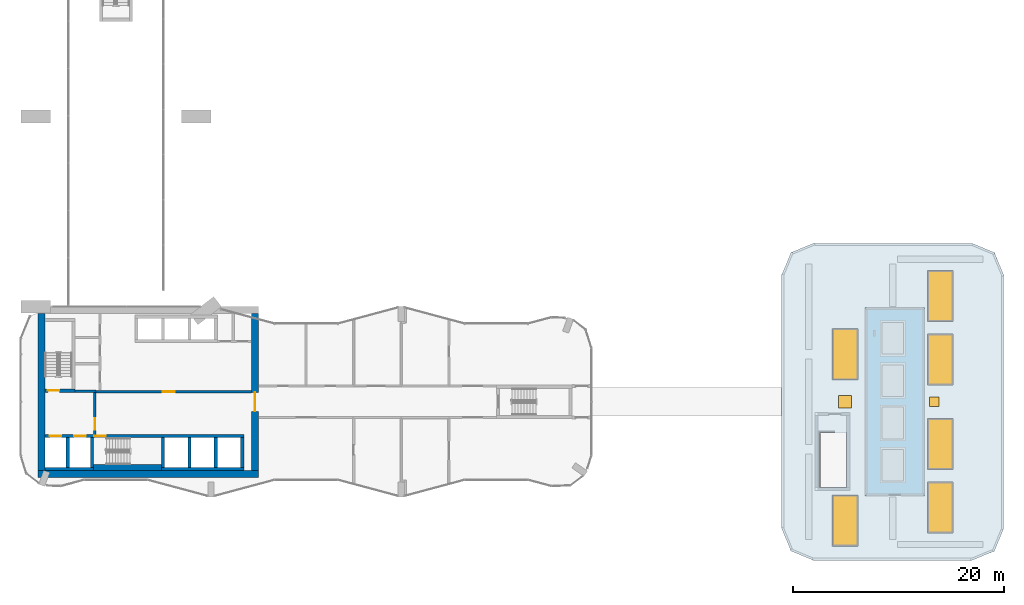
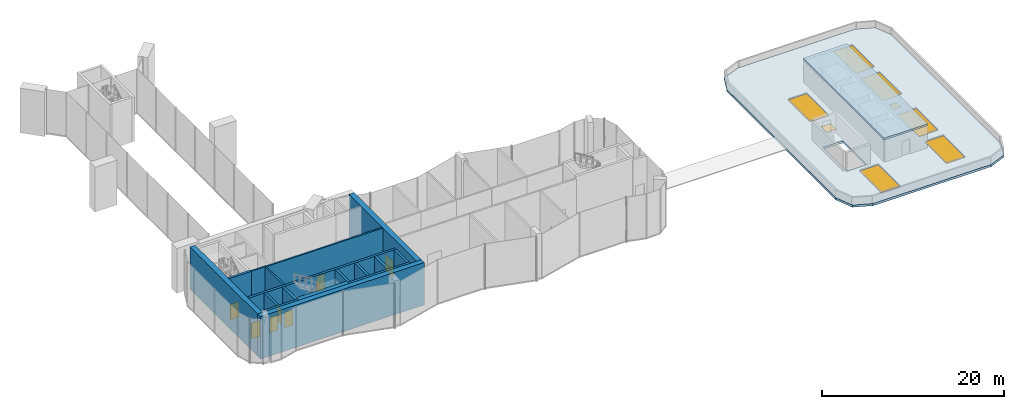
# One storey, part 10 of 19: 17 walls, 9 doors, 6 windows, 2 slabs, 15 openings.
"""IFC4 building model written with IfcOpenShell, lengths in metres."""

from ifc_helpers import new_model, si_unit, direction, frame, frame_2d, origin, origin_2d, place, context, subcontext, project, spatial, polyline, rectangle, outline, extrude, material, layer, layer_set, type_object, element, fill, save


model = new_model("IFC4")

# Units and contexts
model_context = context("Model", 3, precision=1e-05, world=origin(), true_north=direction((0.0, 1.0)))
body_context = subcontext(model_context, "Body", "Model", "MODEL_VIEW")
ifc_project = project(units=[si_unit("LENGTHUNIT", "METRE"), si_unit("AREAUNIT", "SQUARE_METRE"), si_unit("VOLUMEUNIT", "CUBIC_METRE"), si_unit("PLANEANGLEUNIT", "RADIAN"), si_unit("MASSUNIT", "GRAM", prefix="KILO")], contexts=[model_context])

# Site, building, storey
site_placement = place(None, origin())
site = spatial("IfcSite", under=ifc_project, at=site_placement, CompositionType="ELEMENT")
building_placement = place(site_placement, origin())
building = spatial("IfcBuilding", under=site, at=building_placement, Name="Plateau Cross Towers", CompositionType="ELEMENT")
storey_placement = place(building_placement, frame((0.0, 0.0, 128.60009765625)))
storey = spatial("IfcBuildingStorey", under=building, at=storey_placement, Name="L33", CompositionType="ELEMENT", Elevation=128.60009765625)

# Slab
ifc_material_1 = material(Name="Concrete C40/50", Category="concrete")
ifc_layer_1 = layer(ifc_material_1, 0.25)
ifc_layer_set_1 = layer_set([ifc_layer_1], Name="Concrete C40/50")
slab_type_1 = type_object("IfcSlabType", Name="Plant room roof slab 250", PredefinedType="ROOF", material=ifc_layer_set_1)
slab_1_placement = place(storey_placement, frame((0.0, 0.0, 3.099853515625)))
element("IfcSlab", 1, at=slab_1_placement, inside=storey, type_object=slab_type_1, Name="Roof plant room roof", PredefinedType="ROOF", context=body_context, shape_type="SweptSolid", body=[
    extrude(outline(polyline([(79.89990234375, 0.10009765625), (85.5, 0.10009765625), (85.5, 17.89990234375), (79.89990234375, 17.89990234375), (79.89990234375, 0.10009765625)])), origin(), (0.0, 0.0, 1.0), 0.25),
])

# Slab, openings, doors, windows
ifc_layer_2 = layer(ifc_material_1, 0.300048828125)
ifc_layer_set_2 = layer_set([ifc_layer_2], Name="Concrete C40/50")
slab_type_2 = type_object("IfcSlabType", Name="Post-tensioned roof slab 300", PredefinedType="ROOF", material=ifc_layer_set_2)
slab_2_placement = place(storey_placement, frame((0.0, 0.0, -0.300048828125)))
slab_2 = element("IfcSlab", 2, at=slab_2_placement, inside=storey, type_object=slab_type_2, Name="SL-B-L33", PredefinedType="ROOF", context=body_context, shape_type="SweptSolid", body=[
    extrude(outline(polyline([(72.878662109375, -5.121337890625), (72.0, -3.0), (72.0, 21.0), (72.878662109375, 23.121337890625), (75.0, 24.0), (90.0, 24.0), (92.121337890625, 23.121337890625), (93.0, 21.0), (93.0, -3.0), (92.121337890625, -5.121337890625), (90.0, -6.0), (75.0, -6.0), (72.878662109375, -5.121337890625)]), holes=[polyline([(78.14990234375, 0.89990234375), (75.60009765625, 0.89990234375), (75.60009765625, 6.10009765625), (76.949951171875, 6.10009765625), (76.949951171875, 6.090087890625), (78.14990234375, 6.090087890625), (78.14990234375, 0.89990234375)])]), origin(), (0.0, 0.0, 1.0), 0.300048828125),
])
opening_1_placement = place(slab_2_placement, frame((86.419921875, 9.0, 0.0)))
opening_1 = element("IfcOpeningElement", 3, at=opening_1_placement, cuts=slab_2, Name="Opening RH1", PredefinedType="OPENING", context=body_context, shape_type="SweptSolid", body=[
    extrude(rectangle(XDim=0.89990234375, YDim=0.89990234375, at=origin_2d()), origin(), (0.0, 0.0, 1.0), 0.300048828125),
])
opening_2_placement = place(slab_2_placement, frame((77.97998046875, 9.0, 0.0)))
opening_2 = element("IfcOpeningElement", 4, at=opening_2_placement, cuts=slab_2, Name="Opening RH2", PredefinedType="OPENING", context=body_context, shape_type="SweptSolid", body=[
    extrude(rectangle(XDim=1.199951171875, YDim=1.199951171875, at=origin_2d()), origin(), (0.0, 0.0, 1.0), 0.300048828125),
])
opening_3_placement = place(slab_2_placement, frame((87.0, -1.0, 0.0)))
opening_3 = element("IfcOpeningElement", 5, at=opening_3_placement, cuts=slab_2, Name="Opening RL3", PredefinedType="OPENING", context=body_context, shape_type="SweptSolid", body=[
    extrude(rectangle(XDim=2.39990234375, YDim=4.800048828125, at=origin_2d()), origin(), (0.0, 0.0, 1.0), 0.300048828125),
])
opening_4_placement = place(slab_2_placement, frame((78.0, -2.25, 0.0)))
opening_4 = element("IfcOpeningElement", 6, at=opening_4_placement, cuts=slab_2, Name="Opening RL3", PredefinedType="OPENING", context=body_context, shape_type="SweptSolid", body=[
    extrude(rectangle(XDim=2.39990234375, YDim=4.800048828125, at=origin_2d()), origin(), (0.0, 0.0, 1.0), 0.300048828125),
])
opening_5_placement = place(slab_2_placement, frame((87.0, 5.0, 0.0)))
opening_5 = element("IfcOpeningElement", 7, at=opening_5_placement, cuts=slab_2, Name="Opening RL3", PredefinedType="OPENING", context=body_context, shape_type="SweptSolid", body=[
    extrude(rectangle(XDim=2.39990234375, YDim=4.800048828125, at=origin_2d()), origin(), (0.0, 0.0, 1.0), 0.300048828125),
])
opening_6_placement = place(slab_2_placement, frame((87.0, 13.0, 0.0)))
opening_6 = element("IfcOpeningElement", 8, at=opening_6_placement, cuts=slab_2, Name="Opening RL3", PredefinedType="OPENING", context=body_context, shape_type="SweptSolid", body=[
    extrude(rectangle(XDim=2.39990234375, YDim=4.800048828125, at=origin_2d()), origin(), (0.0, 0.0, 1.0), 0.300048828125),
])
opening_7_placement = place(slab_2_placement, frame((78.0, 13.5, 0.0)))
opening_7 = element("IfcOpeningElement", 9, at=opening_7_placement, cuts=slab_2, Name="Opening RL3", PredefinedType="OPENING", context=body_context, shape_type="SweptSolid", body=[
    extrude(rectangle(XDim=2.39990234375, YDim=4.800048828125, at=origin_2d()), origin(), (0.0, 0.0, 1.0), 0.300048828125),
])
opening_8_placement = place(slab_2_placement, frame((87.0, 19.0, 0.0)))
opening_8 = element("IfcOpeningElement", 10, at=opening_8_placement, cuts=slab_2, Name="Opening RL3", PredefinedType="OPENING", context=body_context, shape_type="SweptSolid", body=[
    extrude(rectangle(XDim=2.39990234375, YDim=4.800048828125, at=origin_2d()), origin(), (0.0, 0.0, 1.0), 0.300048828125),
])
ifc_material_2 = material(Name="Insulated aluminium", Category="aluminium")
door_type_1 = type_object("IfcDoorType", Name="Roof access hatch 1200", OperationType="SINGLE_SWING_LEFT", PredefinedType="TRAPDOOR", material=ifc_material_2)
door_1_placement = place(opening_2_placement, frame((0.0, 0.0, 0.25)))
door_1 = element("IfcDoor", 11, at=door_1_placement, inside=storey, type_object=door_type_1, Name="Plant replacement hatch", OperationType="SINGLE_SWING_LEFT", OverallHeight=1.199951171875, OverallWidth=1.199951171875, PredefinedType="TRAPDOOR", context=body_context, shape_type="SweptSolid", body=[
    extrude(rectangle(XDim=1.199951171875, YDim=1.199951171875, at=origin_2d()), origin(), (0.0, 0.0, 1.0), 0.050048828125),
])
fill(opening_2, door_1)
door_type_2 = type_object("IfcDoorType", Name="Roof access hatch 900", OperationType="SINGLE_SWING_LEFT", PredefinedType="TRAPDOOR", material=ifc_material_2)
door_2_placement = place(opening_1_placement, frame((0.0, 0.0, 0.25)))
door_2 = element("IfcDoor", 12, at=door_2_placement, inside=storey, type_object=door_type_2, Name="Roof access hatch", OperationType="SINGLE_SWING_LEFT", OverallHeight=0.89990234375, OverallWidth=0.89990234375, PredefinedType="TRAPDOOR", context=body_context, shape_type="SweptSolid", body=[
    extrude(rectangle(XDim=0.89990234375, YDim=0.89990234375, at=origin_2d()), origin(), (0.0, 0.0, 1.0), 0.050048828125),
])
fill(opening_1, door_2)
ifc_material_3 = material(Name="Aluminium framed glazing", Category="aluminium")
window_type = type_object("IfcWindowType", Name="Rooflight 2400x4800", PartitioningType="SINGLE_PANEL", PredefinedType="SKYLIGHT", material=ifc_material_3)
window_1_placement = place(opening_3_placement, frame((0.0, 0.0, 0.25)))
window_1 = element("IfcWindow", 13, at=window_1_placement, inside=storey, type_object=window_type, Name="Rooflight RL3 1", OverallHeight=4.800048828125, OverallWidth=2.39990234375, PartitioningType="SINGLE_PANEL", PredefinedType="SKYLIGHT", context=body_context, shape_type="SweptSolid", body=[
    extrude(rectangle(XDim=2.39990234375, YDim=4.800048828125, at=origin_2d()), origin(), (0.0, 0.0, 1.0), 0.050048828125),
])
fill(opening_3, window_1)
window_2_placement = place(opening_4_placement, frame((0.0, 0.0, 0.25)))
window_2 = element("IfcWindow", 14, at=window_2_placement, inside=storey, type_object=window_type, Name="Rooflight RL3 2", OverallHeight=4.800048828125, OverallWidth=2.39990234375, PartitioningType="SINGLE_PANEL", PredefinedType="SKYLIGHT", context=body_context, shape_type="SweptSolid", body=[
    extrude(rectangle(XDim=2.39990234375, YDim=4.800048828125, at=origin_2d()), origin(), (0.0, 0.0, 1.0), 0.050048828125),
])
fill(opening_4, window_2)
window_3_placement = place(opening_5_placement, frame((0.0, 0.0, 0.25)))
window_3 = element("IfcWindow", 15, at=window_3_placement, inside=storey, type_object=window_type, Name="Rooflight RL3 3", OverallHeight=4.800048828125, OverallWidth=2.39990234375, PartitioningType="SINGLE_PANEL", PredefinedType="SKYLIGHT", context=body_context, shape_type="SweptSolid", body=[
    extrude(rectangle(XDim=2.39990234375, YDim=4.800048828125, at=origin_2d()), origin(), (0.0, 0.0, 1.0), 0.050048828125),
])
fill(opening_5, window_3)
window_4_placement = place(opening_6_placement, frame((0.0, 0.0, 0.25)))
window_4 = element("IfcWindow", 16, at=window_4_placement, inside=storey, type_object=window_type, Name="Rooflight RL3 4", OverallHeight=4.800048828125, OverallWidth=2.39990234375, PartitioningType="SINGLE_PANEL", PredefinedType="SKYLIGHT", context=body_context, shape_type="SweptSolid", body=[
    extrude(rectangle(XDim=2.39990234375, YDim=4.800048828125, at=origin_2d()), origin(), (0.0, 0.0, 1.0), 0.050048828125),
])
fill(opening_6, window_4)
window_5_placement = place(opening_7_placement, frame((0.0, 0.0, 0.25)))
window_5 = element("IfcWindow", 17, at=window_5_placement, inside=storey, type_object=window_type, Name="Rooflight RL3 5", OverallHeight=4.800048828125, OverallWidth=2.39990234375, PartitioningType="SINGLE_PANEL", PredefinedType="SKYLIGHT", context=body_context, shape_type="SweptSolid", body=[
    extrude(rectangle(XDim=2.39990234375, YDim=4.800048828125, at=origin_2d()), origin(), (0.0, 0.0, 1.0), 0.050048828125),
])
fill(opening_7, window_5)
window_6_placement = place(opening_8_placement, frame((0.0, 0.0, 0.25)))
window_6 = element("IfcWindow", 18, at=window_6_placement, inside=storey, type_object=window_type, Name="Rooflight RL3 6", OverallHeight=4.800048828125, OverallWidth=2.39990234375, PartitioningType="SINGLE_PANEL", PredefinedType="SKYLIGHT", context=body_context, shape_type="SweptSolid", body=[
    extrude(rectangle(XDim=2.39990234375, YDim=4.800048828125, at=origin_2d()), origin(), (0.0, 0.0, 1.0), 0.050048828125),
])
fill(opening_8, window_6)

# Wall, opening, door
ifc_material_4 = material(Name="Concrete block, plastered both sides", Category="concrete")
ifc_layer_3 = layer(ifc_material_4, 0.199951171875)
ifc_layer_set_3 = layer_set([ifc_layer_3], Name="Concrete block, plastered both sides")
wall_type_1 = type_object("IfcWallType", Name="Core partition 200", PredefinedType="PARTITIONING", material=ifc_layer_set_3)
wall_1_placement = place(storey_placement, frame((7.0, 5.89990234375, 0.0), z_axis=(0.0, 0.0, 1.0), x_axis=(0.0, 1.0, 0.0)))
wall_1 = element("IfcWall", 19, at=wall_1_placement, inside=storey, type_object=wall_type_1, Name="Core partition", PredefinedType="PARTITIONING", context=body_context, shape_type="SweptSolid", body=[
    extrude(rectangle(XDim=4.0, YDim=0.199951171875, at=frame_2d((2.0, 0.0))), origin(), (0.0, 0.0, 1.0), 5.699951171875),
])
opening_9_placement = place(wall_1_placement, frame((0.449951171875, 0.0, 0.0)))
opening_9 = element("IfcOpeningElement", 20, at=opening_9_placement, cuts=wall_1, Name="Opening FFD", PredefinedType="OPENING", context=body_context, shape_type="SweptSolid", body=[
    extrude(rectangle(XDim=1.10009765625, YDim=2.10009765625, at=frame_2d((0.550048828125, 1.050048828125))), frame((0.0, 0.10986328125, 0.0), z_axis=(0.0, -1.0, 0.0), x_axis=(1.0, 0.0, 0.0)), (0.0, 0.0, 1.0), 0.219970703125),
])
ifc_material_5 = material(Name="Steel, fire-resisting leaf", Category="steel")
door_type_3 = type_object("IfcDoorType", Name="Firefighting lobby door 1100", OperationType="NOTDEFINED", PredefinedType="DOOR", material=ifc_material_5)
door_3_placement = place(opening_9_placement, origin())
door_3 = element("IfcDoor", 21, at=door_3_placement, inside=storey, type_object=door_type_3, Name="Firefighting lobby door FFD", OperationType="SINGLE_SWING_LEFT", OverallHeight=2.10009765625, OverallWidth=1.10009765625, PredefinedType="DOOR", context=body_context, shape_type="SweptSolid", body=[
    extrude(rectangle(XDim=1.10009765625, YDim=2.10009765625, at=frame_2d((0.550048828125, 1.050048828125))), frame((0.0, 0.02490234375, 0.0), z_axis=(0.0, -1.0, 0.0), x_axis=(1.0, 0.0, 0.0)), (0.0, 0.0, 1.0), 0.050048828125),
])
fill(opening_9, door_3)

# Wall
wall_2_placement = place(storey_placement, frame((5.14990234375, 10.0, 0.0), z_axis=(0.0, 0.0, 1.0), x_axis=(1.0, 0.0, 0.0)))
element("IfcWall", 22, at=wall_2_placement, inside=storey, type_object=wall_type_1, Name="Core partition", PredefinedType="PARTITIONING", context=body_context, shape_type="SweptSolid", body=[
    extrude(rectangle(XDim=1.9501953125, YDim=0.199951171875, at=frame_2d((0.97509765625, 0.0))), origin(), (0.0, 0.0, 1.0), 5.699951171875),
])

# Wall, opening, door
wall_3_placement = place(storey_placement, frame((7.10009765625, 9.949951171875, 0.0), z_axis=(0.0, 0.0, 1.0), x_axis=(1.0, 0.0, 0.0)))
wall_3 = element("IfcWall", 23, at=wall_3_placement, inside=storey, type_object=wall_type_1, Name="Core partition", PredefinedType="PARTITIONING", context=body_context, shape_type="SweptSolid", body=[
    extrude(rectangle(XDim=14.75, YDim=0.199951171875, at=frame_2d((7.375, 0.0))), origin(), (0.0, 0.0, 1.0), 5.699951171875),
])
opening_10_placement = place(wall_3_placement, frame((6.35009765625, 0.0, 0.0)))
opening_10 = element("IfcOpeningElement", 24, at=opening_10_placement, cuts=wall_3, Name="Opening PD", PredefinedType="OPENING", context=body_context, shape_type="SweptSolid", body=[
    extrude(rectangle(XDim=1.10009765625, YDim=2.10009765625, at=frame_2d((0.550048828125, 1.050048828125))), frame((0.0, 0.10986328125, 0.0), z_axis=(0.0, -1.0, 0.0), x_axis=(1.0, 0.0, 0.0)), (0.0, 0.0, 1.0), 0.219970703125),
])
door_type_4 = type_object("IfcDoorType", Name="Plant room door 1100", OperationType="NOTDEFINED", PredefinedType="DOOR", material=ifc_material_5)
door_4_placement = place(opening_10_placement, origin())
door_4 = element("IfcDoor", 25, at=door_4_placement, inside=storey, type_object=door_type_4, Name="Plant room door PD", OperationType="SINGLE_SWING_LEFT", OverallHeight=2.10009765625, OverallWidth=1.10009765625, PredefinedType="DOOR", context=body_context, shape_type="SweptSolid", body=[
    extrude(rectangle(XDim=1.10009765625, YDim=2.10009765625, at=frame_2d((0.550048828125, 1.050048828125))), frame((0.0, 0.02490234375, 0.0), z_axis=(0.0, -1.0, 0.0), x_axis=(1.0, 0.0, 0.0)), (0.0, 0.0, 1.0), 0.050048828125),
])
fill(opening_10, door_4)

# Walls
ifc_material_6 = material(Name="Concrete C60/75", Category="concrete")
ifc_layer_4 = layer(ifc_material_6, 0.300048828125)
ifc_layer_set_4 = layer_set([ifc_layer_4], Name="Concrete C60/75")
wall_type_2 = type_object("IfcWallType", Name="Core shaft wall 300", PredefinedType="SHEAR", material=ifc_layer_set_4)
wall_4_placement = place(storey_placement, frame((2.300048828125, 2.64990234375, 0.0), z_axis=(0.0, 0.0, 1.0), x_axis=(1.0, 0.0, 0.0)))
element("IfcWall", 26, at=wall_4_placement, inside=storey, type_object=wall_type_2, Name="A-sb-back1@L33", PredefinedType="SHEAR", context=body_context, shape_type="SweptSolid", body=[
    extrude(rectangle(XDim=4.599853515625, YDim=0.300048828125, at=frame_2d((2.2998046875, 0.0))), origin(), (0.0, 0.0, 1.0), 5.699951171875),
])
wall_5_placement = place(storey_placement, frame((13.300048828125, 2.64990234375, 0.0), z_axis=(0.0, 0.0, 1.0), x_axis=(1.0, 0.0, 0.0)))
element("IfcWall", 27, at=wall_5_placement, inside=storey, type_object=wall_type_2, Name="A-sb-back3@L33", PredefinedType="SHEAR", context=body_context, shape_type="SweptSolid", body=[
    extrude(rectangle(XDim=7.800048828125, YDim=0.300048828125, at=frame_2d((3.89990234375, 0.0))), origin(), (0.0, 0.0, 1.0), 5.699951171875),
])
for number, where, z_axis, x_axis, name in (
    (28, (4.449951171875, 2.800048828125, 0.0), (0.0, 0.0, 1.0), (0.0, 1.0, 0.0), "A-sb-v1@L33"),
    (29, (6.75, 2.800048828125, 0.0), (0.0, 0.0, 1.0), (0.0, 1.0, 0.0), "A-sb-v2@L33"),
    (30, (13.449951171875, 2.800048828125, 0.0), (0.0, 0.0, 1.0), (0.0, 1.0, 0.0), "A-sb-v3@L33"),
    (31, (15.949951171875, 2.800048828125, 0.0), (0.0, 0.0, 1.0), (0.0, 1.0, 0.0), "A-sb-v4@L33"),
    (32, (18.449951171875, 2.800048828125, 0.0), (0.0, 0.0, 1.0), (0.0, 1.0, 0.0), "A-sb-v5@L33"),
    (33, (20.949951171875, 2.800048828125, 0.0), (0.0, 0.0, 1.0), (0.0, 1.0, 0.0), "A-sb-v6@L33"),
):
    element("IfcWall", number, at=place(storey_placement, frame(where, z_axis=z_axis, x_axis=x_axis)), inside=storey, type_object=wall_type_2, Name=name, PredefinedType="SHEAR", context=body_context, shape_type="SweptSolid", body=[
        extrude(rectangle(XDim=2.800048828125, YDim=0.300048828125, at=frame_2d((1.39990234375, 0.0))), origin(), (0.0, 0.0, 1.0), 5.699951171875),
    ])

# Wall, openings, doors
wall_6_placement = place(storey_placement, frame((2.300048828125, 5.75, 0.0), z_axis=(0.0, 0.0, 1.0), x_axis=(1.0, 0.0, 0.0)))
wall_6 = element("IfcWall", 34, at=wall_6_placement, inside=storey, type_object=wall_type_2, Name="A-sb-front@L33", PredefinedType="SHEAR", context=body_context, shape_type="SweptSolid", body=[
    extrude(rectangle(XDim=18.800048828125, YDim=0.300048828125, at=frame_2d((9.39990234375, 0.0))), origin(), (0.0, 0.0, 1.0), 5.699951171875),
])
opening_11_placement = place(wall_6_placement, frame((4.64990234375, 0.0, 0.0)))
opening_11 = element("IfcOpeningElement", 35, at=opening_11_placement, cuts=wall_6, Name="Opening SD", PredefinedType="OPENING", context=body_context, shape_type="SweptSolid", body=[
    extrude(rectangle(XDim=1.10009765625, YDim=2.10009765625, at=frame_2d((0.550048828125, 1.050048828125))), frame((0.0, 0.159912109375, 0.0), z_axis=(0.0, -1.0, 0.0), x_axis=(1.0, 0.0, 0.0)), (0.0, 0.0, 1.0), 0.320068359375),
])
opening_12_placement = place(wall_6_placement, frame((0.449951171875, 0.0, 0.0)))
opening_12 = element("IfcOpeningElement", 36, at=opening_12_placement, cuts=wall_6, Name="Opening LD", PredefinedType="OPENING", context=body_context, shape_type="SweptSolid", body=[
    extrude(rectangle(XDim=1.10009765625, YDim=2.10009765625, at=frame_2d((0.550048828125, 1.050048828125))), frame((0.0, 0.159912109375, 0.0), z_axis=(0.0, -1.0, 0.0), x_axis=(1.0, 0.0, 0.0)), (0.0, 0.0, 1.0), 0.320068359375),
])
opening_13_placement = place(wall_6_placement, frame((2.75, 0.0, 0.0)))
opening_13 = element("IfcOpeningElement", 37, at=opening_13_placement, cuts=wall_6, Name="Opening LD", PredefinedType="OPENING", context=body_context, shape_type="SweptSolid", body=[
    extrude(rectangle(XDim=1.10009765625, YDim=2.10009765625, at=frame_2d((0.550048828125, 1.050048828125))), frame((0.0, 0.159912109375, 0.0), z_axis=(0.0, -1.0, 0.0), x_axis=(1.0, 0.0, 0.0)), (0.0, 0.0, 1.0), 0.320068359375),
])
ifc_material_7 = material(Name="Stainless steel, fire-resisting sliding leaves", Category="steel")
door_type_5 = type_object("IfcDoorType", Name="Lift landing door 1100", OperationType="NOTDEFINED", PredefinedType="DOOR", material=ifc_material_7)
door_5_placement = place(opening_12_placement, origin())
door_5 = element("IfcDoor", 38, at=door_5_placement, inside=storey, type_object=door_type_5, Name="Lift landing door LD", OperationType="DOUBLE_DOOR_SLIDING", OverallHeight=2.10009765625, OverallWidth=1.10009765625, PredefinedType="DOOR", context=body_context, shape_type="SweptSolid", body=[
    extrude(rectangle(XDim=1.10009765625, YDim=2.10009765625, at=frame_2d((0.550048828125, 1.050048828125))), frame((0.0, 0.02490234375, 0.0), z_axis=(0.0, -1.0, 0.0), x_axis=(1.0, 0.0, 0.0)), (0.0, 0.0, 1.0), 0.050048828125),
])
fill(opening_12, door_5)
door_6_placement = place(opening_13_placement, origin())
door_6 = element("IfcDoor", 39, at=door_6_placement, inside=storey, type_object=door_type_5, Name="Lift landing door LD", OperationType="DOUBLE_DOOR_SLIDING", OverallHeight=2.10009765625, OverallWidth=1.10009765625, PredefinedType="DOOR", context=body_context, shape_type="SweptSolid", body=[
    extrude(rectangle(XDim=1.10009765625, YDim=2.10009765625, at=frame_2d((0.550048828125, 1.050048828125))), frame((0.0, 0.02490234375, 0.0), z_axis=(0.0, -1.0, 0.0), x_axis=(1.0, 0.0, 0.0)), (0.0, 0.0, 1.0), 0.050048828125),
])
fill(opening_13, door_6)
door_type_6 = type_object("IfcDoorType", Name="Stair door 1100", OperationType="NOTDEFINED", PredefinedType="DOOR", material=ifc_material_5)
door_7_placement = place(opening_11_placement, origin())
door_7 = element("IfcDoor", 40, at=door_7_placement, inside=storey, type_object=door_type_6, Name="Stair door SD", OperationType="SINGLE_SWING_LEFT", OverallHeight=2.10009765625, OverallWidth=1.10009765625, PredefinedType="DOOR", context=body_context, shape_type="SweptSolid", body=[
    extrude(rectangle(XDim=1.10009765625, YDim=2.10009765625, at=frame_2d((0.550048828125, 1.050048828125))), frame((0.0, 0.02490234375, 0.0), z_axis=(0.0, -1.0, 0.0), x_axis=(1.0, 0.0, 0.0)), (0.0, 0.0, 1.0), 0.050048828125),
])
fill(opening_11, door_7)

# Wall, opening, door
wall_7_placement = place(storey_placement, frame((2.300048828125, 10.050048828125, 0.0), z_axis=(0.0, 0.0, 1.0), x_axis=(1.0, 0.0, 0.0)))
wall_7 = element("IfcWall", 41, at=wall_7_placement, inside=storey, type_object=wall_type_2, Name="A-st1-S@L33", PredefinedType="SHEAR", context=body_context, shape_type="SweptSolid", body=[
    extrude(rectangle(XDim=2.849853515625, YDim=0.300048828125, at=frame_2d((1.4248046875, 0.0))), origin(), (0.0, 0.0, 1.0), 5.699951171875),
])
opening_14_placement = place(wall_7_placement, frame((0.25, 0.0, 0.0)))
opening_14 = element("IfcOpeningElement", 42, at=opening_14_placement, cuts=wall_7, Name="Opening SD", PredefinedType="OPENING", context=body_context, shape_type="SweptSolid", body=[
    extrude(rectangle(XDim=1.10009765625, YDim=2.10009765625, at=frame_2d((0.550048828125, 1.050048828125))), frame((0.0, 0.159912109375, 0.0), z_axis=(0.0, -1.0, 0.0), x_axis=(1.0, 0.0, 0.0)), (0.0, 0.0, 1.0), 0.320068359375),
])
door_8_placement = place(opening_14_placement, origin())
door_8 = element("IfcDoor", 43, at=door_8_placement, inside=storey, type_object=door_type_6, Name="Stair door SD", OperationType="SINGLE_SWING_RIGHT", OverallHeight=2.10009765625, OverallWidth=1.10009765625, PredefinedType="DOOR", context=body_context, shape_type="SweptSolid", body=[
    extrude(rectangle(XDim=1.10009765625, YDim=2.10009765625, at=frame_2d((0.550048828125, 1.050048828125))), frame((0.0, 0.02490234375, 0.0), z_axis=(0.0, -1.0, 0.0), x_axis=(1.0, 0.0, 0.0)), (0.0, 0.0, 1.0), 0.050048828125),
])
fill(opening_14, door_8)

# Walls
ifc_layer_5 = layer(ifc_material_6, 0.550048828125)
ifc_layer_set_5 = layer_set([ifc_layer_5], Name="Concrete C60/75")
wall_type_3 = type_object("IfcWallType", Name="Core shaft wall 550", PredefinedType="SHEAR", material=ifc_layer_set_5)
wall_8_placement = place(storey_placement, frame((6.89990234375, 2.77490234375, 0.0), z_axis=(0.0, 0.0, 1.0), x_axis=(1.0, 0.0, 0.0)))
element("IfcWall", 44, at=wall_8_placement, inside=storey, type_object=wall_type_3, Name="A-sb-back2@L33", PredefinedType="SHEAR", context=body_context, shape_type="SweptSolid", body=[
    extrude(rectangle(XDim=6.400146484375, YDim=0.550048828125, at=frame_2d((3.2001953125, 0.0))), origin(), (0.0, 0.0, 1.0), 5.699951171875),
])
ifc_layer_6 = layer(ifc_material_6, 0.64990234375)
ifc_layer_set_6 = layer_set([ifc_layer_6], Name="Concrete C60/75")
wall_type_4 = type_object("IfcWallType", Name="Core shell wall 650", PredefinedType="SHEAR", material=ifc_layer_set_6)
wall_9_placement = place(storey_placement, frame((1.64990234375, 2.175048828125, 0.0), z_axis=(0.0, 0.0, 1.0), x_axis=(1.0, 0.0, 0.0)))
element("IfcWall", 45, at=wall_9_placement, inside=storey, type_object=wall_type_4, Name="A-core-S@L33", PredefinedType="SHEAR", context=body_context, shape_type="SweptSolid", body=[
    extrude(rectangle(XDim=20.85009765625, YDim=0.64990234375, at=frame_2d((10.425048828125, 0.0))), origin(), (0.0, 0.0, 1.0), 5.699951171875),
])
wall_10_placement = place(storey_placement, frame((1.97509765625, 2.5, 0.0), z_axis=(0.0, 0.0, 1.0), x_axis=(0.0, 1.0, 0.0)))
element("IfcWall", 46, at=wall_10_placement, inside=storey, type_object=wall_type_4, Name="A-core-W@L33", PredefinedType="SHEAR", context=body_context, shape_type="SweptSolid", body=[
    extrude(rectangle(XDim=14.85009765625, YDim=0.64990234375, at=frame_2d((7.425048828125, 0.0))), origin(), (0.0, 0.0, 1.0), 5.699951171875),
])

# Wall, opening, door
wall_11_placement = place(storey_placement, frame((22.175048828125, 2.5, 0.0), z_axis=(0.0, 0.0, 1.0), x_axis=(0.0, 1.0, 0.0)))
wall_11 = element("IfcWall", 47, at=wall_11_placement, inside=storey, type_object=wall_type_4, Name="A-core-E@L33", PredefinedType="SHEAR", context=body_context, shape_type="SweptSolid", body=[
    extrude(rectangle(XDim=14.85009765625, YDim=0.64990234375, at=frame_2d((7.425048828125, 0.0))), origin(), (0.0, 0.0, 1.0), 5.699951171875),
])
opening_15_placement = place(wall_11_placement, frame((5.60009765625, 0.0, 0.0)))
opening_15 = element("IfcOpeningElement", 48, at=opening_15_placement, cuts=wall_11, Name="Opening CD", PredefinedType="OPENING", context=body_context, shape_type="SweptSolid", body=[
    extrude(rectangle(XDim=1.800048828125, YDim=2.10009765625, at=frame_2d((0.89990234375, 1.050048828125))), frame((0.0, 0.3349609375, 0.0), z_axis=(0.0, -1.0, 0.0), x_axis=(1.0, 0.0, 0.0)), (0.0, 0.0, 1.0), 0.669921875),
])
ifc_material_8 = material(Name="Steel, fire-resisting leaves", Category="steel")
door_type_7 = type_object("IfcDoorType", Name="Corridor door pair 1800", OperationType="NOTDEFINED", PredefinedType="DOOR", material=ifc_material_8)
door_9_placement = place(opening_15_placement, origin())
door_9 = element("IfcDoor", 49, at=door_9_placement, inside=storey, type_object=door_type_7, Name="Corridor door pair CD", OperationType="DOUBLE_DOOR_SINGLE_SWING", OverallHeight=2.10009765625, OverallWidth=1.800048828125, PredefinedType="DOOR", context=body_context, shape_type="SweptSolid", body=[
    extrude(rectangle(XDim=1.800048828125, YDim=2.10009765625, at=frame_2d((0.89990234375, 1.050048828125))), frame((0.0, 0.02490234375, 0.0), z_axis=(0.0, -1.0, 0.0), x_axis=(1.0, 0.0, 0.0)), (0.0, 0.0, 1.0), 0.050048828125),
])
fill(opening_15, door_9)

save(model, "model.ifc")
